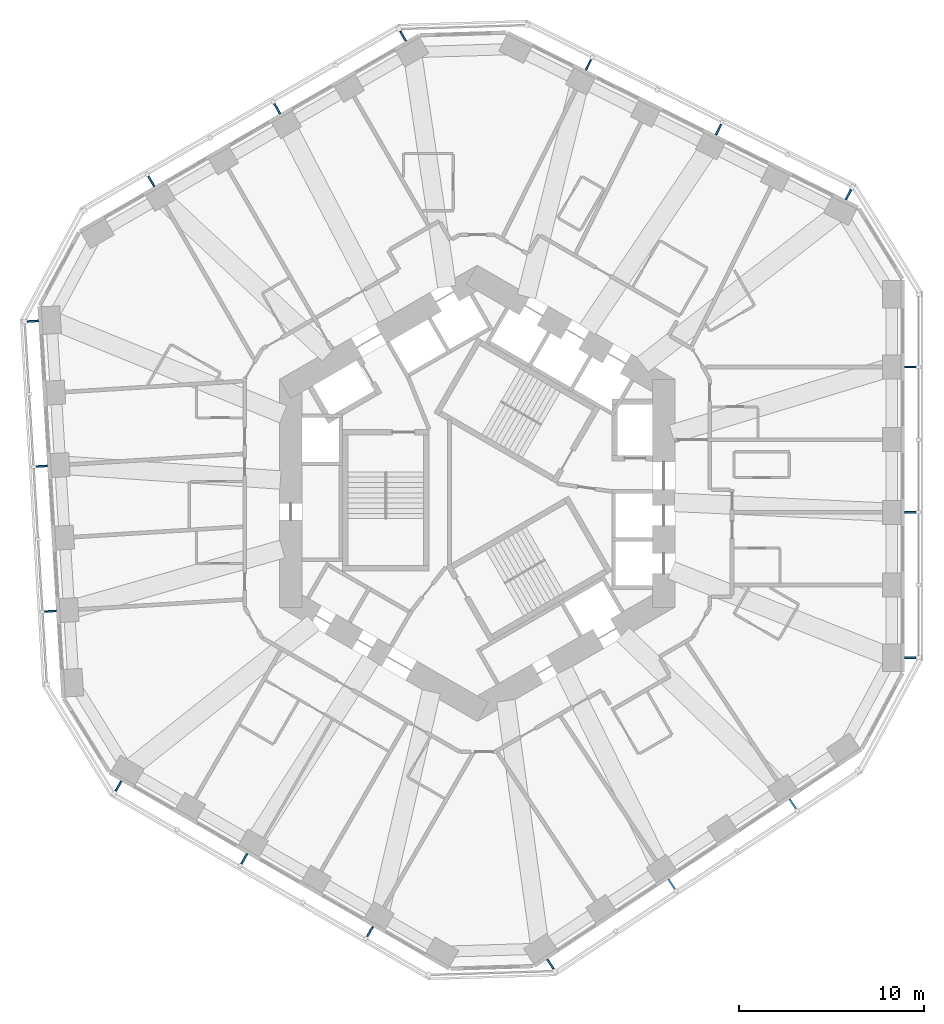
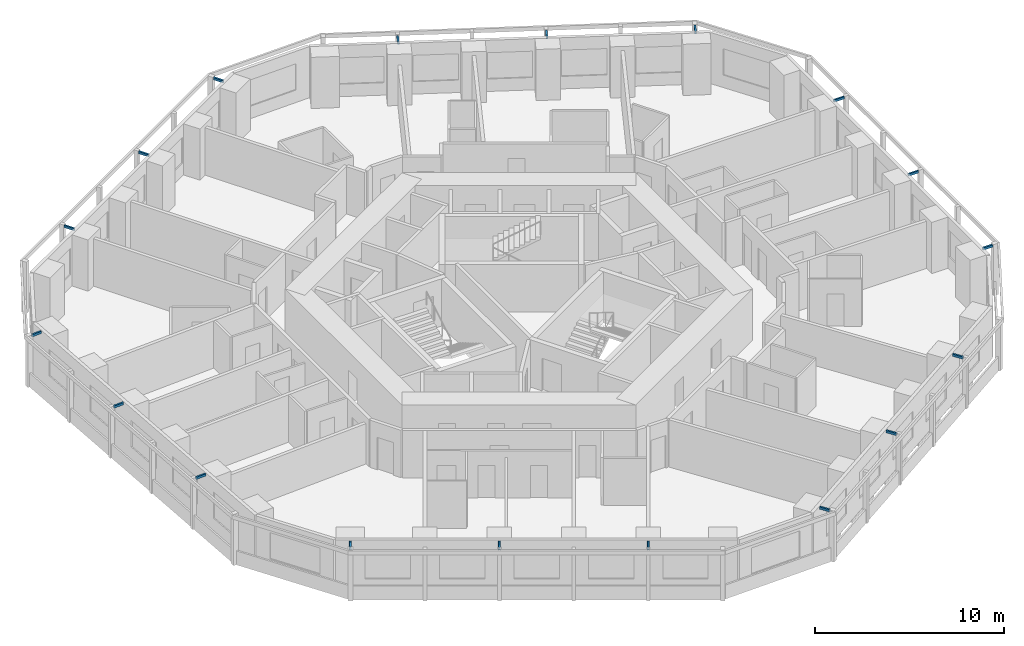
# One storey, part 11 of 12: 18 discrete accessories.
"""IFC4 building model written with IfcOpenShell, lengths in metres."""

from ifc_helpers import new_model, si_unit, direction, frame, origin, origin_2d, place, context, subcontext, project, spatial, rectangle, extrude, material, type_object, element, save


model = new_model("IFC4")

# Units and contexts
model_context = context("Model", 3, precision=1e-05, world=origin(), true_north=direction((0.0, 1.0)))
body_context = subcontext(model_context, "Body", "Model", "MODEL_VIEW")
ifc_project = project(units=[si_unit("LENGTHUNIT", "METRE"), si_unit("AREAUNIT", "SQUARE_METRE"), si_unit("VOLUMEUNIT", "CUBIC_METRE"), si_unit("PLANEANGLEUNIT", "RADIAN"), si_unit("MASSUNIT", "GRAM", prefix="KILO")], contexts=[model_context])

# Site, building, storey
site_placement = place(None, origin())
site = spatial("IfcSite", under=ifc_project, at=site_placement, CompositionType="ELEMENT")
building_placement = place(site_placement, origin())
building = spatial("IfcBuilding", under=site, at=building_placement, Name="Vanh Sen Convention Tower", CompositionType="ELEMENT")
storey_placement = place(building_placement, frame((0.0, 0.0, 57.199951171875)))
storey = spatial("IfcBuildingStorey", under=building, at=storey_placement, Name="L11", CompositionType="ELEMENT", Elevation=57.199951171875)

# Discrete accessories
ifc_material = material(Name="Steel S355", Category="steel")
discrete_accessory_type = type_object("IfcDiscreteAccessoryType", Name="Fin bracket 100 x 150", PredefinedType="BRACKET", material=ifc_material)
discrete_accessory_1_placement = place(storey_placement, frame((23.449951171875, -8.899169921875, 3.10009765625), z_axis=(0.0, 0.0, 1.0), x_axis=(1.0, 0.0, 0.0)))
element("IfcDiscreteAccessory", 1, at=discrete_accessory_1_placement, inside=storey, type_object=discrete_accessory_type, Name="Fin bracket E-1 L11", PredefinedType="BRACKET", context=body_context, shape_type="SweptSolid", body=[
    extrude(rectangle(XDim=0.60009765625, YDim=0.10009765625, at=origin_2d()), origin(), (0.0, 0.0, 1.0), 0.14990234375),
])
for number, where, z_axis, x_axis, name in (
    (2, (23.46240234375, -1.030029296875, 3.10009765625), (0.0, 0.0, 1.0), (1.0, 0.0, 0.0), "Fin bracket E-3 L11"),
    (3, (23.46240234375, 6.839111328125, 3.10009765625), (0.0, 0.0, 1.0), (1.0, 0.0, 0.0), "Fin bracket E-5 L11"),
):
    element("IfcDiscreteAccessory", number, at=place(storey_placement, frame(where, z_axis=z_axis, x_axis=x_axis)), inside=storey, type_object=discrete_accessory_type, Name=name, PredefinedType="BRACKET", context=body_context, shape_type="SweptSolid", body=[
        extrude(rectangle(XDim=0.625, YDim=0.10009765625, at=origin_2d()), origin(), (0.0, 0.0, 1.0), 0.14990234375),
    ])
discrete_accessory_2_placement = place(storey_placement, frame((20.10498046875, 16.178955078125, 3.10009765625), z_axis=(0.0, 0.0, 1.0), x_axis=(0.44619781311, 0.894934361602, 0.0)))
element("IfcDiscreteAccessory", 4, at=discrete_accessory_2_placement, inside=storey, type_object=discrete_accessory_type, Name="Fin bracket NE-1 L11", PredefinedType="BRACKET", context=body_context, shape_type="SweptSolid", body=[
    extrude(rectangle(XDim=0.60009765625, YDim=0.10009765625, at=origin_2d()), origin(), (0.0, 0.0, 1.0), 0.14990234375),
])
for number, where, z_axis, x_axis, name in (
    (5, (13.068359375, 19.701416015625, 3.10009765625), (0.0, 0.0, 1.0), (0.44619781311, 0.894934361602, 0.0), "Fin bracket NE-3 L11"),
    (6, (6.02587890625, 23.212646484375, 3.10009765625), (0.0, 0.0, 1.0), (0.44619781311, 0.894934361602, 0.0), "Fin bracket NE-5 L11"),
):
    element("IfcDiscreteAccessory", number, at=place(storey_placement, frame(where, z_axis=z_axis, x_axis=x_axis)), inside=storey, type_object=discrete_accessory_type, Name=name, PredefinedType="BRACKET", context=body_context, shape_type="SweptSolid", body=[
        extrude(rectangle(XDim=0.625, YDim=0.10009765625, at=origin_2d()), origin(), (0.0, 0.0, 1.0), 0.14990234375),
    ])
discrete_accessory_3_placement = place(storey_placement, frame((-4.01806640625, 24.7578125, 3.10009765625), z_axis=(0.0, 0.0, 1.0), x_axis=(-0.5, 0.866025403784, 0.0)))
element("IfcDiscreteAccessory", 7, at=discrete_accessory_3_placement, inside=storey, type_object=discrete_accessory_type, Name="Fin bracket NW-1 L11", PredefinedType="BRACKET", context=body_context, shape_type="SweptSolid", body=[
    extrude(rectangle(XDim=0.60009765625, YDim=0.10009765625, at=origin_2d()), origin(), (0.0, 0.0, 1.0), 0.14990234375),
])
for number, where, z_axis, x_axis, name in (
    (8, (-10.839111328125, 20.834228515625, 3.10009765625), (0.0, 0.0, 1.0), (-0.5, 0.866025403784, 0.0), "Fin bracket NW-3 L11"),
    (9, (-17.654296875, 16.899658203125, 3.10009765625), (0.0, 0.0, 1.0), (-0.5, 0.866025403784, 0.0), "Fin bracket NW-5 L11"),
):
    element("IfcDiscreteAccessory", number, at=place(storey_placement, frame(where, z_axis=z_axis, x_axis=x_axis)), inside=storey, type_object=discrete_accessory_type, Name=name, PredefinedType="BRACKET", context=body_context, shape_type="SweptSolid", body=[
        extrude(rectangle(XDim=0.625, YDim=0.10009765625, at=origin_2d()), origin(), (0.0, 0.0, 1.0), 0.14990234375),
    ])
discrete_accessory_4_placement = place(storey_placement, frame((-24.06396484375, 9.322021484375, 3.10009765625), z_axis=(0.0, 0.0, 1.0), x_axis=(-0.998134798422, -0.061048539535, 0.0)))
element("IfcDiscreteAccessory", 10, at=discrete_accessory_4_placement, inside=storey, type_object=discrete_accessory_type, Name="Fin bracket W-1 L11", PredefinedType="BRACKET", context=body_context, shape_type="SweptSolid", body=[
    extrude(rectangle(XDim=0.60009765625, YDim=0.10009765625, at=origin_2d()), origin(), (0.0, 0.0, 1.0), 0.14990234375),
])
for number, where, z_axis, x_axis, name in (
    (11, (-23.595947265625, 1.466796875, 3.10009765625), (0.0, 0.0, 1.0), (-0.998134798422, -0.061048539535, 0.0), "Fin bracket W-3 L11"),
    (12, (-23.115478515625, -6.3876953125, 3.10009765625), (0.0, 0.0, 1.0), (-0.998134798422, -0.061048539535, 0.0), "Fin bracket W-5 L11"),
):
    element("IfcDiscreteAccessory", number, at=place(storey_placement, frame(where, z_axis=z_axis, x_axis=x_axis)), inside=storey, type_object=discrete_accessory_type, Name=name, PredefinedType="BRACKET", context=body_context, shape_type="SweptSolid", body=[
        extrude(rectangle(XDim=0.625, YDim=0.10009765625, at=origin_2d()), origin(), (0.0, 0.0, 1.0), 0.14990234375),
    ])
discrete_accessory_5_placement = place(storey_placement, frame((-19.431884765625, -15.858642578125, 3.10009765625), z_axis=(0.0, 0.0, 1.0), x_axis=(-0.5, -0.866025403784, 0.0)))
element("IfcDiscreteAccessory", 13, at=discrete_accessory_5_placement, inside=storey, type_object=discrete_accessory_type, Name="Fin bracket SW-1 L11", PredefinedType="BRACKET", context=body_context, shape_type="SweptSolid", body=[
    extrude(rectangle(XDim=0.60009765625, YDim=0.10009765625, at=origin_2d()), origin(), (0.0, 0.0, 1.0), 0.14990234375),
])
for number, where, z_axis, x_axis, name in (
    (14, (-12.623291015625, -19.80419921875, 3.10009765625), (0.0, 0.0, 1.0), (-0.5, -0.866025403784, 0.0), "Fin bracket SW-3 L11"),
    (15, (-5.808349609375, -23.73876953125, 3.10009765625), (0.0, 0.0, 1.0), (-0.5, -0.866025403784, 0.0), "Fin bracket SW-5 L11"),
):
    element("IfcDiscreteAccessory", number, at=place(storey_placement, frame(where, z_axis=z_axis, x_axis=x_axis)), inside=storey, type_object=discrete_accessory_type, Name=name, PredefinedType="BRACKET", context=body_context, shape_type="SweptSolid", body=[
        extrude(rectangle(XDim=0.625, YDim=0.10009765625, at=origin_2d()), origin(), (0.0, 0.0, 1.0), 0.14990234375),
    ])
discrete_accessory_6_placement = place(storey_placement, frame((3.958740234375, -25.5009765625, 3.10009765625), z_axis=(0.0, 0.0, 1.0), x_axis=(0.551936985312, -0.833885822067, 0.0)))
element("IfcDiscreteAccessory", 16, at=discrete_accessory_6_placement, inside=storey, type_object=discrete_accessory_type, Name="Fin bracket SE-1 L11", PredefinedType="BRACKET", context=body_context, shape_type="SweptSolid", body=[
    extrude(rectangle(XDim=0.60009765625, YDim=0.10009765625, at=origin_2d()), origin(), (0.0, 0.0, 1.0), 0.14990234375),
])
for number, where, z_axis, x_axis, name in (
    (17, (10.527587890625, -21.168212890625, 3.10009765625), (0.0, 0.0, 1.0), (0.551936985312, -0.833885822067, 0.0), "Fin bracket SE-3 L11"),
    (18, (17.089599609375, -16.824951171875, 3.10009765625), (0.0, 0.0, 1.0), (0.551936985312, -0.833885822067, 0.0), "Fin bracket SE-5 L11"),
):
    element("IfcDiscreteAccessory", number, at=place(storey_placement, frame(where, z_axis=z_axis, x_axis=x_axis)), inside=storey, type_object=discrete_accessory_type, Name=name, PredefinedType="BRACKET", context=body_context, shape_type="SweptSolid", body=[
        extrude(rectangle(XDim=0.625, YDim=0.10009765625, at=origin_2d()), origin(), (0.0, 0.0, 1.0), 0.14990234375),
    ])

save(model, "model.ifc")
